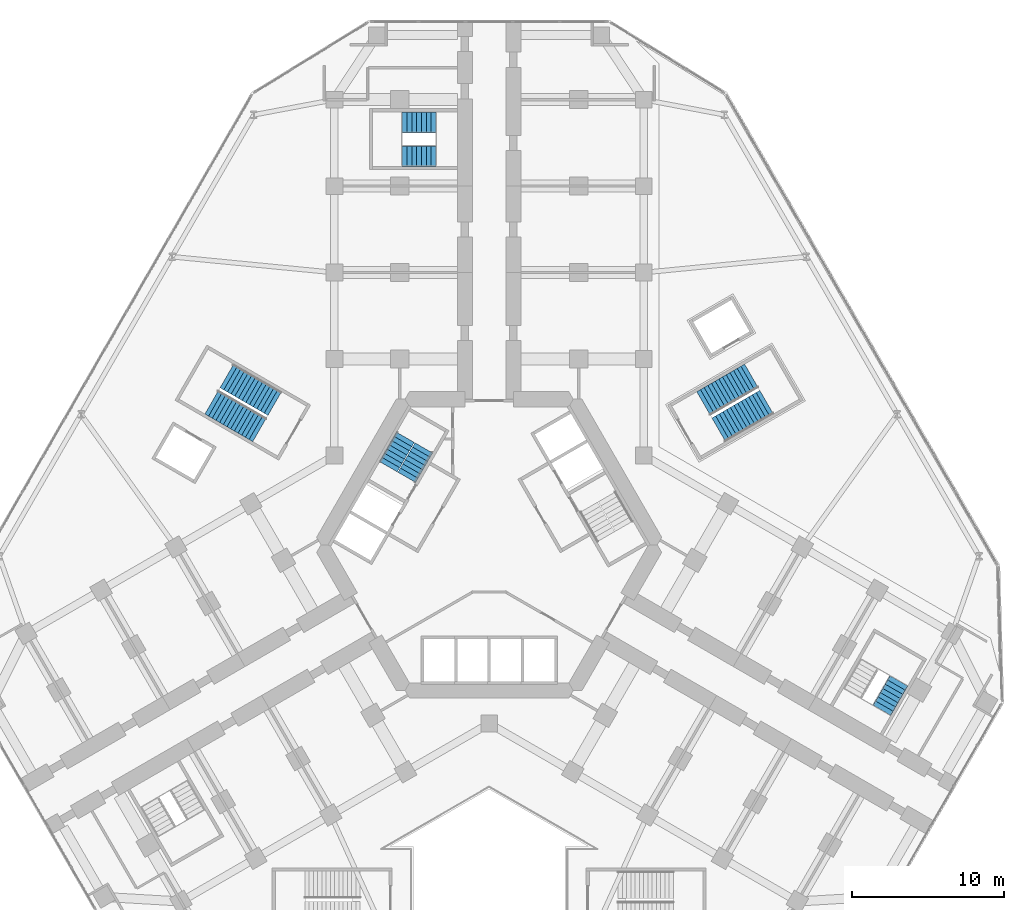
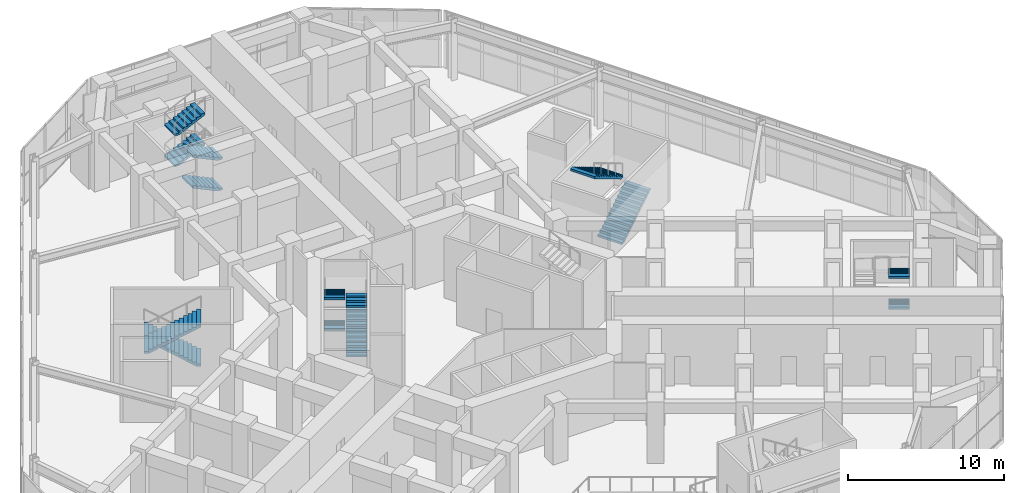
# One storey, part 19 of 21: 14 stair flights, 5 elements without a shape of their own.
"""IFC4 building model written with IfcOpenShell, lengths in metres."""

import ifcopenshell
import ifcopenshell.guid

model = None  # the IFC model being written
_history = None  # IfcOwnerHistory: only IFC2X3 demands one
_inside = {}  # id of a spatial element -> (the spatial element, [elements in it])
_under = {}  # id of a project, library or spatial element -> (it, [spatial elements below it])
_declared = {}  # id of a project -> (the project, [libraries it declares])
_typed = {}  # id of a type object -> (the type object, [elements of that type])
_made_of = {}  # id of a material, layer set ... -> (it, [elements and type objects made of it])


def new_model(schema):
    """Start an empty IFC model of exactly this schema.

    Asked for "IFC4X3", IfcOpenShell would pick the latest addendum, in which some entities
    have other attributes; the version numbers below select the first issue.
    IFC2X3 requires an IfcOwnerHistory on every rooted entity: one is made here for all.
    """
    global model, _history
    if schema == "IFC4X3":
        model = ifcopenshell.file(schema_version=(4, 3, 0, 0))
    else:
        model = ifcopenshell.file(schema=schema)
    _inside.clear()
    _under.clear()
    _declared.clear()
    _typed.clear()
    _made_of.clear()
    _history = None
    if model.schema == "IFC2X3":
        org = make("IfcOrganization", Name="unknown")
        user = make(
            "IfcPersonAndOrganization",
            ThePerson=make("IfcPerson", FamilyName="unknown"),
            TheOrganization=org,
        )
        app = make(
            "IfcApplication",
            ApplicationDeveloper=org,
            Version="unknown",
            ApplicationFullName="unknown",
            ApplicationIdentifier="unknown",
        )
        _history = make(
            "IfcOwnerHistory",
            OwningUser=user,
            OwningApplication=app,
            ChangeAction="ADDED",
            CreationDate=0,
        )
    return model


def make(cls, **values):
    """One entity of the class cls with the attributes given. An attribute that is None is left unset."""
    return model.create_entity(
        cls, **{name: value for name, value in values.items() if value is not None}
    )


def rooted(cls, **values):
    """An entity with a GlobalId (a new one), such as an element, a storey or a relation."""
    return make(cls, GlobalId=ifcopenshell.guid.new(), OwnerHistory=_history, **values)


def si_unit(unit_type, name, prefix=None):
    """IfcSIUnit, for example si_unit("LENGTHUNIT", "METRE", prefix="MILLI")."""
    return make("IfcSIUnit", UnitType=unit_type, Prefix=prefix, Name=name)


def assignment(units):
    """IfcUnitAssignment: the units of a project."""
    return None if units is None else make("IfcUnitAssignment", Units=units)


def point(xyz):
    """IfcCartesianPoint."""
    return None if xyz is None else make("IfcCartesianPoint", Coordinates=xyz)


def direction(xyz):
    """IfcDirection."""
    return None if xyz is None else make("IfcDirection", DirectionRatios=xyz)


def frame(location, z_axis=None, x_axis=None):
    """IfcAxis2Placement3D, a coordinate frame: its origin and axes. An axis left out is left unset."""
    return make(
        "IfcAxis2Placement3D",
        Location=point(location),
        Axis=direction(z_axis),
        RefDirection=direction(x_axis),
    )


def origin():
    """The frame at (0, 0, 0) with its axes left unset."""
    return frame((0.0, 0.0, 0.0))


def place(relative_to, where):
    """IfcLocalPlacement: puts the frame where relative to a parent placement (None: the world)."""
    return make(
        "IfcLocalPlacement", PlacementRelTo=relative_to, RelativePlacement=where
    )


def context(
    kind, dimensions, precision=None, world=None, true_north=None, identifier=None
):
    """IfcGeometricRepresentationContext, for example the 3D "Model" context."""
    return make(
        "IfcGeometricRepresentationContext",
        ContextIdentifier=identifier,
        ContextType=kind,
        CoordinateSpaceDimension=dimensions,
        Precision=precision,
        WorldCoordinateSystem=world,
        TrueNorth=true_north,
    )


def subcontext(parent, identifier, kind, view, scale=None):
    """IfcGeometricRepresentationSubContext, for example "Body" below "Model"."""
    return make(
        "IfcGeometricRepresentationSubContext",
        ContextIdentifier=identifier,
        ContextType=kind,
        ParentContext=parent,
        TargetScale=scale,
        TargetView=view,
    )


def project(units=None, contexts=None):
    """IfcProject with its units and contexts."""
    return rooted(
        "IfcProject",
        Name="project",
        RepresentationContexts=contexts,
        UnitsInContext=assignment(units),
    )


def spatial(cls, under=None, at=None, **own):
    """A site, building, storey or space (cls), placed at a placement, below another one or the project."""
    s = rooted(cls, ObjectPlacement=at, **own)
    if under is not None:
        _under.setdefault(under.id(), (under, []))[1].append(s)
    return s


def polyline(points):
    """IfcPolyline through the points."""
    return make("IfcPolyline", Points=[point(p) for p in points])


def outline(outer, holes=None, kind="AREA"):
    """IfcArbitraryClosedProfileDef: a profile drawn as a closed curve; with holes, ...WithVoids."""
    if holes is None:
        return make("IfcArbitraryClosedProfileDef", ProfileType=kind, OuterCurve=outer)
    return make(
        "IfcArbitraryProfileDefWithVoids",
        ProfileType=kind,
        OuterCurve=outer,
        InnerCurves=holes,
    )


def extrude(swept, where, along, depth):
    """IfcExtrudedAreaSolid: the profile swept, set in the frame where, extruded along a direction by depth."""
    return make(
        "IfcExtrudedAreaSolid",
        SweptArea=swept,
        Position=where,
        ExtrudedDirection=direction(along),
        Depth=depth,
    )


def shape(context_of_items, identifier, shape_type, items):
    """IfcShapeRepresentation: the items that make up one representation, for example the "Body"."""
    return make(
        "IfcShapeRepresentation",
        ContextOfItems=context_of_items,
        RepresentationIdentifier=identifier,
        RepresentationType=shape_type,
        Items=items,
    )


def material(Name=None, Category=None):
    """IfcMaterial."""
    return make("IfcMaterial", Name=Name, Category=Category)


def made_of(thing, what):
    """Note that an element or type object is made of a material, layer set ...; save() writes the relation."""
    if what is not None:
        _made_of.setdefault(what.id(), (what, []))[1].append(thing)
    return thing


def type_object(cls, material=None, **own):
    """A type object (cls), such as IfcWallType, which elements share."""
    return made_of(rooted(cls, **own), material)


def element(
    cls,
    number,
    at=None,
    inside=None,
    cuts=None,
    type_object=None,
    material=None,
    context=None,
    identifier="Body",
    shape_type=None,
    held_by="IfcProductDefinitionShape",
    body=None,
    shapes=None,
    **own,
):
    """One element of the class cls, such as IfcWall. Its Tag is "e" and its number.

    at: its placement. inside: the storey or other place that contains it. cuts: it is an
    opening in that element (IfcRelVoidsElement). A single representation is given by context,
    identifier, shape_type and body (its items); several are given by shapes. held_by: the class
    of the entity that holds the representations. save() writes the other relations.
    """
    e = rooted(cls, Tag="e%d" % number, ObjectPlacement=at, **own)
    if body is not None:
        shapes = [shape(context, identifier, shape_type, body)]
    if shapes is not None:
        e.Representation = make(held_by, Representations=shapes)
    if inside is not None:
        _inside.setdefault(inside.id(), (inside, []))[1].append(e)
    if cuts is not None:
        rooted(
            "IfcRelVoidsElement", RelatingBuildingElement=cuts, RelatedOpeningElement=e
        )
    if type_object is not None:
        _typed.setdefault(type_object.id(), (type_object, []))[1].append(e)
    return made_of(e, material)


def aggregate(whole, parts):
    """IfcRelAggregates: a whole, such as a stair, and the parts it consists of."""
    return rooted("IfcRelAggregates", RelatingObject=whole, RelatedObjects=parts)


def save(model, path):
    """Write the relations noted so far, then the file.

    IfcRelAggregates (storeys below a building ...), IfcRelContainedInSpatialStructure (elements
    in a storey), IfcRelDefinesByType, IfcRelAssociatesMaterial and IfcRelDeclares: one each for
    every whole, place, type object, material and project.
    """
    for whole, parts in _under.values():
        aggregate(whole, parts)
    for where, things in _inside.values():
        rooted(
            "IfcRelContainedInSpatialStructure",
            RelatedElements=things,
            RelatingStructure=where,
        )
    for kind, things in _typed.values():
        rooted("IfcRelDefinesByType", RelatedObjects=things, RelatingType=kind)
    for what, things in _made_of.values():
        rooted("IfcRelAssociatesMaterial", RelatedObjects=things, RelatingMaterial=what)
    for by, libraries in _declared.values():
        rooted("IfcRelDeclares", RelatingContext=by, RelatedDefinitions=libraries)
    model.write(path)


model = new_model("IFC4")

# Units and contexts
model_context = context("Model", 3, precision=1e-05, world=origin(), true_north=direction((0.0, 1.0)))
body_context = subcontext(model_context, "Body", "Model", "MODEL_VIEW")
ifc_project = project(units=[si_unit("LENGTHUNIT", "METRE"), si_unit("AREAUNIT", "SQUARE_METRE"), si_unit("VOLUMEUNIT", "CUBIC_METRE"), si_unit("PLANEANGLEUNIT", "RADIAN"), si_unit("MASSUNIT", "GRAM", prefix="KILO")], contexts=[model_context])

# Site, building, storey
site_placement = place(None, origin())
site = spatial("IfcSite", under=ifc_project, at=site_placement, CompositionType="ELEMENT")
building_placement = place(site_placement, origin())
building = spatial("IfcBuilding", under=site, at=building_placement, Name="Kosmar Iwan School Tower", CompositionType="ELEMENT")
storey_placement = place(building_placement, frame((0.0, 0.0, 6.0)))
storey = spatial("IfcBuildingStorey", under=building, at=storey_placement, Name="L01", CompositionType="ELEMENT", Elevation=6.0)

# Stair, stair flights
ifc_material_1 = material(Name="Concrete C35/45", Category="concrete")
stair_type_1 = type_object("IfcStairType", Name="Escape stair 3600", PredefinedType="HALF_TURN_STAIR", material=ifc_material_1)
stair_1_placement = place(storey_placement, origin())
stair_1 = element("IfcStair", 1, at=stair_1_placement, inside=storey, type_object=stair_type_1, Name="Stair WS1 L01", PredefinedType="HALF_TURN_STAIR")
ifc_material_2 = material(Name="Concrete C35/45", Category="concrete")
stair_flight_type_1 = type_object("IfcStairFlightType", Name="Escape stair flight 1350", PredefinedType="STRAIGHT", material=ifc_material_2)
stair_flight_1_placement = place(storey_placement, frame((-3.5, 25.625, 0.0), z_axis=(0.0, 0.0, 1.0), x_axis=(-1.0, 0.0, 0.0)))
stair_flight_1 = element("IfcStairFlight", 2, at=stair_flight_1_placement, type_object=stair_flight_type_1, Name="WS1 flight 1", NumberOfRisers=8, NumberOfTreads=7, PredefinedType="STRAIGHT", RiserHeight=0.15, TreadLength=0.32, context=body_context, shape_type="SweptSolid", body=[
    extrude(outline(polyline([(0.0, 0.0), (0.0, 0.14990234375), (0.320068359375, 0.14990234375), (0.320068359375, 0.300048828125), (0.639892578125, 0.300048828125), (0.639892578125, 0.449951171875), (0.9599609375, 0.449951171875), (0.9599609375, 0.60009765625), (1.280029296875, 0.60009765625), (1.280029296875, 0.75), (1.60009765625, 0.75), (1.60009765625, 0.89990234375), (1.919921875, 0.89990234375), (1.919921875, 1.050048828125), (2.239990234375, 1.050048828125), (2.239990234375, 1.199951171875), (2.239990234375, 0.884521484375), (0.353271484375, 0.0), (0.0, 0.0)])), frame((0.0, 0.675048828125, 0.0), z_axis=(0.0, -1.0, 0.0), x_axis=(1.0, 0.0, 0.0)), (0.0, 0.0, 1.0), 1.35009765625),
])
stair_flight_2_placement = place(storey_placement, frame((-5.739990234375, 27.875, 1.199951171875), z_axis=(0.0, 0.0, 1.0), x_axis=(1.0, 0.0, 0.0)))
stair_flight_2 = element("IfcStairFlight", 3, at=stair_flight_2_placement, type_object=stair_flight_type_1, Name="WS1 flight 2", NumberOfRisers=8, NumberOfTreads=7, PredefinedType="STRAIGHT", RiserHeight=0.15, TreadLength=0.32, context=body_context, shape_type="SweptSolid", body=[
    extrude(outline(polyline([(0.0, 0.0), (0.0, 0.14990234375), (0.320068359375, 0.14990234375), (0.320068359375, 0.300048828125), (0.639892578125, 0.300048828125), (0.639892578125, 0.449951171875), (0.9599609375, 0.449951171875), (0.9599609375, 0.60009765625), (1.280029296875, 0.60009765625), (1.280029296875, 0.75), (1.60009765625, 0.75), (1.60009765625, 0.89990234375), (1.919921875, 0.89990234375), (1.919921875, 1.050048828125), (2.239990234375, 1.050048828125), (2.239990234375, 1.199951171875), (2.239990234375, 0.884521484375), (0.353271484375, 0.0), (0.0, 0.0)])), frame((0.0, 0.675048828125, 0.0), z_axis=(0.0, -1.0, 0.0), x_axis=(1.0, 0.0, 0.0)), (0.0, 0.0, 1.0), 1.35009765625),
])
stair_flight_3_placement = place(storey_placement, frame((-3.5, 25.625, 2.39990234375), z_axis=(0.0, 0.0, 1.0), x_axis=(-1.0, 0.0, 0.0)))
stair_flight_3 = element("IfcStairFlight", 4, at=stair_flight_3_placement, type_object=stair_flight_type_1, Name="WS1 flight 3", NumberOfRisers=8, NumberOfTreads=7, PredefinedType="STRAIGHT", RiserHeight=0.15, TreadLength=0.32, context=body_context, shape_type="SweptSolid", body=[
    extrude(outline(polyline([(0.0, 0.0), (0.0, 0.14990234375), (0.320068359375, 0.14990234375), (0.320068359375, 0.300048828125), (0.639892578125, 0.300048828125), (0.639892578125, 0.449951171875), (0.9599609375, 0.449951171875), (0.9599609375, 0.60009765625), (1.280029296875, 0.60009765625), (1.280029296875, 0.75), (1.60009765625, 0.75), (1.60009765625, 0.89990234375), (1.919921875, 0.89990234375), (1.919921875, 1.050048828125), (2.239990234375, 1.050048828125), (2.239990234375, 1.199951171875), (2.239990234375, 0.884521484375), (0.353271484375, 0.0), (0.0, 0.0)])), frame((0.0, 0.675048828125, 0.0), z_axis=(0.0, -1.0, 0.0), x_axis=(1.0, 0.0, 0.0)), (0.0, 0.0, 1.0), 1.35009765625),
])
stair_flight_4_placement = place(storey_placement, frame((-5.739990234375, 27.875, 3.60009765625), z_axis=(0.0, 0.0, 1.0), x_axis=(1.0, 0.0, 0.0)))
stair_flight_4 = element("IfcStairFlight", 5, at=stair_flight_4_placement, type_object=stair_flight_type_1, Name="WS1 flight 4", NumberOfRisers=8, NumberOfTreads=7, PredefinedType="STRAIGHT", RiserHeight=0.15, TreadLength=0.32, context=body_context, shape_type="SweptSolid", body=[
    extrude(outline(polyline([(0.0, 0.0), (0.0, 0.14990234375), (0.320068359375, 0.14990234375), (0.320068359375, 0.300048828125), (0.639892578125, 0.300048828125), (0.639892578125, 0.449951171875), (0.9599609375, 0.449951171875), (0.9599609375, 0.60009765625), (1.280029296875, 0.60009765625), (1.280029296875, 0.75), (1.60009765625, 0.75), (1.60009765625, 0.89990234375), (1.919921875, 0.89990234375), (1.919921875, 1.050048828125), (2.239990234375, 1.050048828125), (2.239990234375, 1.199951171875), (2.239990234375, 0.884521484375), (0.353271484375, 0.0), (0.0, 0.0)])), frame((0.0, 0.675048828125, 0.0), z_axis=(0.0, -1.0, 0.0), x_axis=(1.0, 0.0, 0.0)), (0.0, 0.0, 1.0), 1.35009765625),
])
aggregate(stair_1, [stair_flight_1, stair_flight_2, stair_flight_3, stair_flight_4])

stair_2_placement = place(storey_placement, origin())
stair_2 = element("IfcStair", 6, at=stair_2_placement, inside=storey, type_object=stair_type_1, Name="Stair WS3 L01", PredefinedType="HALF_TURN_STAIR")
stair_flight_5_placement = place(storey_placement, frame((27.010498046875, -8.966552734375, 1.199951171875), z_axis=(0.0, 0.0, 1.0), x_axis=(-0.5, -0.866025403784, 0.0)))
stair_flight_5 = element("IfcStairFlight", 7, at=stair_flight_5_placement, type_object=stair_flight_type_1, Name="WS3 flight 2", NumberOfRisers=8, NumberOfTreads=7, PredefinedType="STRAIGHT", RiserHeight=0.15, TreadLength=0.32, context=body_context, shape_type="SweptSolid", body=[
    extrude(outline(polyline([(0.0, 0.0), (0.0, 0.14990234375), (0.320068359375, 0.14990234375), (0.320068359375, 0.300048828125), (0.639892578125, 0.300048828125), (0.639892578125, 0.449951171875), (0.9599609375, 0.449951171875), (0.9599609375, 0.60009765625), (1.280029296875, 0.60009765625), (1.280029296875, 0.75), (1.60009765625, 0.75), (1.60009765625, 0.89990234375), (1.919921875, 0.89990234375), (1.919921875, 1.050048828125), (2.239990234375, 1.050048828125), (2.239990234375, 1.199951171875), (2.239990234375, 0.884521484375), (0.353271484375, 0.0), (0.0, 0.0)])), frame((0.0, 0.675048828125, 0.0), z_axis=(0.0, -1.0, 0.0), x_axis=(1.0, 0.0, 0.0)), (0.0, 0.0, 1.0), 1.35009765625),
])
stair_flight_6_placement = place(storey_placement, frame((27.010498046875, -8.966552734375, 3.60009765625), z_axis=(0.0, 0.0, 1.0), x_axis=(-0.5, -0.866025403784, 0.0)))
stair_flight_6 = element("IfcStairFlight", 8, at=stair_flight_6_placement, type_object=stair_flight_type_1, Name="WS3 flight 4", NumberOfRisers=8, NumberOfTreads=7, PredefinedType="STRAIGHT", RiserHeight=0.15, TreadLength=0.32, context=body_context, shape_type="SweptSolid", body=[
    extrude(outline(polyline([(0.0, 0.0), (0.0, 0.14990234375), (0.320068359375, 0.14990234375), (0.320068359375, 0.300048828125), (0.639892578125, 0.300048828125), (0.639892578125, 0.449951171875), (0.9599609375, 0.449951171875), (0.9599609375, 0.60009765625), (1.280029296875, 0.60009765625), (1.280029296875, 0.75), (1.60009765625, 0.75), (1.60009765625, 0.89990234375), (1.919921875, 0.89990234375), (1.919921875, 1.050048828125), (2.239990234375, 1.050048828125), (2.239990234375, 1.199951171875), (2.239990234375, 0.884521484375), (0.353271484375, 0.0), (0.0, 0.0)])), frame((0.0, 0.675048828125, 0.0), z_axis=(0.0, -1.0, 0.0), x_axis=(1.0, 0.0, 0.0)), (0.0, 0.0, 1.0), 1.35009765625),
])
aggregate(stair_2, [stair_flight_5, stair_flight_6])

ifc_material_3 = material(Name="Concrete C35/45", Category="concrete")
stair_type_2 = type_object("IfcStairType", Name="School stair 3800", PredefinedType="HALF_TURN_STAIR", material=ifc_material_3)
stair_3_placement = place(storey_placement, origin())
stair_3 = element("IfcStair", 9, at=stair_3_placement, inside=storey, type_object=stair_type_2, Name="School stair SS3 L01", PredefinedType="HALF_TURN_STAIR")
ifc_material_4 = material(Name="Concrete C35/45", Category="concrete")
stair_flight_type_2 = type_object("IfcStairFlightType", Name="School stair flight 1800", PredefinedType="STRAIGHT", material=ifc_material_4)
stair_flight_7_placement = place(storey_placement, frame((15.1357421875, 7.583984375, 0.0), z_axis=(0.0, 0.0, 1.0), x_axis=(0.866025403784, 0.5, 0.0)))
stair_flight_7 = element("IfcStairFlight", 10, at=stair_flight_7_placement, type_object=stair_flight_type_2, Name="SS3 flight 1", NumberOfRisers=14, NumberOfTreads=13, PredefinedType="STRAIGHT", RiserHeight=0.171428571, TreadLength=0.28, context=body_context, shape_type="SweptSolid", body=[
    extrude(outline(polyline([(0.0, 0.0), (0.0, 0.17138671875), (0.280029296875, 0.17138671875), (0.280029296875, 0.3427734375), (0.56005859375, 0.3427734375), (0.56005859375, 0.514404296875), (0.840087890625, 0.514404296875), (0.840087890625, 0.685791015625), (1.1201171875, 0.685791015625), (1.1201171875, 0.857177734375), (1.39990234375, 0.857177734375), (1.39990234375, 1.028564453125), (1.679931640625, 1.028564453125), (1.679931640625, 1.199951171875), (1.9599609375, 1.199951171875), (1.9599609375, 1.371337890625), (2.239990234375, 1.371337890625), (2.239990234375, 1.54296875), (2.52001953125, 1.54296875), (2.52001953125, 1.71435546875), (2.800048828125, 1.71435546875), (2.800048828125, 1.8857421875), (3.080078125, 1.8857421875), (3.080078125, 2.05712890625), (3.360107421875, 2.05712890625), (3.360107421875, 2.228515625), (3.639892578125, 2.228515625), (3.639892578125, 2.39990234375), (3.639892578125, 2.052734375), (0.287109375, 0.0), (0.0, 0.0)])), frame((0.0, 0.89990234375, 0.0), z_axis=(0.0, -1.0, 0.0), x_axis=(1.0, 0.0, 0.0)), (0.0, 0.0, 1.0), 1.800048828125),
])
stair_flight_8_placement = place(storey_placement, frame((17.2880859375, 11.135986328125, 2.39990234375), z_axis=(0.0, 0.0, 1.0), x_axis=(-0.866025403784, -0.5, 0.0)))
stair_flight_8 = element("IfcStairFlight", 11, at=stair_flight_8_placement, type_object=stair_flight_type_2, Name="SS3 flight 2", NumberOfRisers=14, NumberOfTreads=13, PredefinedType="STRAIGHT", RiserHeight=0.171428571, TreadLength=0.28, context=body_context, shape_type="SweptSolid", body=[
    extrude(outline(polyline([(0.0, 0.0), (0.0, 0.17138671875), (0.280029296875, 0.17138671875), (0.280029296875, 0.3427734375), (0.56005859375, 0.3427734375), (0.56005859375, 0.514404296875), (0.840087890625, 0.514404296875), (0.840087890625, 0.685791015625), (1.1201171875, 0.685791015625), (1.1201171875, 0.857177734375), (1.39990234375, 0.857177734375), (1.39990234375, 1.028564453125), (1.679931640625, 1.028564453125), (1.679931640625, 1.199951171875), (1.9599609375, 1.199951171875), (1.9599609375, 1.371337890625), (2.239990234375, 1.371337890625), (2.239990234375, 1.54296875), (2.52001953125, 1.54296875), (2.52001953125, 1.71435546875), (2.800048828125, 1.71435546875), (2.800048828125, 1.8857421875), (3.080078125, 1.8857421875), (3.080078125, 2.05712890625), (3.360107421875, 2.05712890625), (3.360107421875, 2.228515625), (3.639892578125, 2.228515625), (3.639892578125, 2.39990234375), (3.639892578125, 2.052734375), (0.287109375, 0.0), (0.0, 0.0)])), frame((0.0, 0.89990234375, 0.0), z_axis=(0.0, -1.0, 0.0), x_axis=(1.0, 0.0, 0.0)), (0.0, 0.0, 1.0), 1.800048828125),
])
aggregate(stair_3, [stair_flight_7, stair_flight_8])

stair_4_placement = place(storey_placement, origin())
stair_4 = element("IfcStair", 12, at=stair_4_placement, inside=storey, type_object=stair_type_2, Name="School stair SS4 L01", PredefinedType="HALF_TURN_STAIR")
stair_flight_9_placement = place(storey_placement, frame((-14.1357421875, 9.31591796875, 0.0), z_axis=(0.0, 0.0, 1.0), x_axis=(-0.866025403784, 0.5, 0.0)))
stair_flight_9 = element("IfcStairFlight", 13, at=stair_flight_9_placement, type_object=stair_flight_type_2, Name="SS4 flight 1", NumberOfRisers=14, NumberOfTreads=13, PredefinedType="STRAIGHT", RiserHeight=0.171428571, TreadLength=0.28, context=body_context, shape_type="SweptSolid", body=[
    extrude(outline(polyline([(0.0, 0.0), (0.0, 0.17138671875), (0.280029296875, 0.17138671875), (0.280029296875, 0.3427734375), (0.56005859375, 0.3427734375), (0.56005859375, 0.514404296875), (0.840087890625, 0.514404296875), (0.840087890625, 0.685791015625), (1.1201171875, 0.685791015625), (1.1201171875, 0.857177734375), (1.39990234375, 0.857177734375), (1.39990234375, 1.028564453125), (1.679931640625, 1.028564453125), (1.679931640625, 1.199951171875), (1.9599609375, 1.199951171875), (1.9599609375, 1.371337890625), (2.239990234375, 1.371337890625), (2.239990234375, 1.54296875), (2.52001953125, 1.54296875), (2.52001953125, 1.71435546875), (2.800048828125, 1.71435546875), (2.800048828125, 1.8857421875), (3.080078125, 1.8857421875), (3.080078125, 2.05712890625), (3.360107421875, 2.05712890625), (3.360107421875, 2.228515625), (3.639892578125, 2.228515625), (3.639892578125, 2.39990234375), (3.639892578125, 2.052734375), (0.287109375, 0.0), (0.0, 0.0)])), frame((0.0, 0.89990234375, 0.0), z_axis=(0.0, -1.0, 0.0), x_axis=(1.0, 0.0, 0.0)), (0.0, 0.0, 1.0), 1.800048828125),
])
stair_flight_10_placement = place(storey_placement, frame((-18.2880859375, 9.404052734375, 2.39990234375), z_axis=(0.0, 0.0, 1.0), x_axis=(0.866025403784, -0.5, 0.0)))
stair_flight_10 = element("IfcStairFlight", 14, at=stair_flight_10_placement, type_object=stair_flight_type_2, Name="SS4 flight 2", NumberOfRisers=14, NumberOfTreads=13, PredefinedType="STRAIGHT", RiserHeight=0.171428571, TreadLength=0.28, context=body_context, shape_type="SweptSolid", body=[
    extrude(outline(polyline([(0.0, 0.0), (0.0, 0.17138671875), (0.280029296875, 0.17138671875), (0.280029296875, 0.3427734375), (0.56005859375, 0.3427734375), (0.56005859375, 0.514404296875), (0.840087890625, 0.514404296875), (0.840087890625, 0.685791015625), (1.1201171875, 0.685791015625), (1.1201171875, 0.857177734375), (1.39990234375, 0.857177734375), (1.39990234375, 1.028564453125), (1.679931640625, 1.028564453125), (1.679931640625, 1.199951171875), (1.9599609375, 1.199951171875), (1.9599609375, 1.371337890625), (2.239990234375, 1.371337890625), (2.239990234375, 1.54296875), (2.52001953125, 1.54296875), (2.52001953125, 1.71435546875), (2.800048828125, 1.71435546875), (2.800048828125, 1.8857421875), (3.080078125, 1.8857421875), (3.080078125, 2.05712890625), (3.360107421875, 2.05712890625), (3.360107421875, 2.228515625), (3.639892578125, 2.228515625), (3.639892578125, 2.39990234375), (3.639892578125, 2.052734375), (0.287109375, 0.0), (0.0, 0.0)])), frame((0.0, 0.89990234375, 0.0), z_axis=(0.0, -1.0, 0.0), x_axis=(1.0, 0.0, 0.0)), (0.0, 0.0, 1.0), 1.800048828125),
])
aggregate(stair_4, [stair_flight_9, stair_flight_10])

ifc_material_5 = material(Name="Concrete C35/45", Category="concrete")
stair_type_3 = type_object("IfcStairType", Name="Core stair 2750", PredefinedType="HALF_TURN_STAIR", material=ifc_material_5)
stair_5_placement = place(storey_placement, origin())
stair_5 = element("IfcStair", 15, at=stair_5_placement, inside=storey, type_object=stair_type_3, Name="Stair ST2 L01", PredefinedType="HALF_TURN_STAIR")
ifc_material_6 = material(Name="Concrete C35/45", Category="concrete")
stair_flight_type_3 = type_object("IfcStairFlightType", Name="Stair flight 1350", PredefinedType="STRAIGHT", material=ifc_material_6)
stair_flight_11_placement = place(storey_placement, frame((-5.42724609375, 4.44970703125, 0.0), z_axis=(0.0, 0.0, 1.0), x_axis=(0.5, 0.866025403784, 0.0)))
stair_flight_11 = element("IfcStairFlight", 16, at=stair_flight_11_placement, type_object=stair_flight_type_3, Name="ST2 flight 1", NumberOfRisers=8, NumberOfTreads=7, PredefinedType="STRAIGHT", RiserHeight=0.15, TreadLength=0.32, context=body_context, shape_type="SweptSolid", body=[
    extrude(outline(polyline([(0.0, 0.0), (0.0, 0.14990234375), (0.320068359375, 0.14990234375), (0.320068359375, 0.300048828125), (0.639892578125, 0.300048828125), (0.639892578125, 0.449951171875), (0.9599609375, 0.449951171875), (0.9599609375, 0.60009765625), (1.280029296875, 0.60009765625), (1.280029296875, 0.75), (1.60009765625, 0.75), (1.60009765625, 0.89990234375), (1.919921875, 0.89990234375), (1.919921875, 1.050048828125), (2.239990234375, 1.050048828125), (2.239990234375, 1.199951171875), (2.239990234375, 0.884521484375), (0.353271484375, 0.0), (0.0, 0.0)])), frame((0.0, 0.675048828125, 0.0), z_axis=(0.0, -1.0, 0.0), x_axis=(1.0, 0.0, 0.0)), (0.0, 0.0, 1.0), 1.35009765625),
])
stair_flight_12_placement = place(storey_placement, frame((-5.519775390625, 7.089599609375, 1.199951171875), z_axis=(0.0, 0.0, 1.0), x_axis=(-0.5, -0.866025403784, 0.0)))
stair_flight_12 = element("IfcStairFlight", 17, at=stair_flight_12_placement, type_object=stair_flight_type_3, Name="ST2 flight 2", NumberOfRisers=8, NumberOfTreads=7, PredefinedType="STRAIGHT", RiserHeight=0.15, TreadLength=0.32, context=body_context, shape_type="SweptSolid", body=[
    extrude(outline(polyline([(0.0, 0.0), (0.0, 0.14990234375), (0.320068359375, 0.14990234375), (0.320068359375, 0.300048828125), (0.639892578125, 0.300048828125), (0.639892578125, 0.449951171875), (0.9599609375, 0.449951171875), (0.9599609375, 0.60009765625), (1.280029296875, 0.60009765625), (1.280029296875, 0.75), (1.60009765625, 0.75), (1.60009765625, 0.89990234375), (1.919921875, 0.89990234375), (1.919921875, 1.050048828125), (2.239990234375, 1.050048828125), (2.239990234375, 1.199951171875), (2.239990234375, 0.884521484375), (0.353271484375, 0.0), (0.0, 0.0)])), frame((0.0, 0.675048828125, 0.0), z_axis=(0.0, -1.0, 0.0), x_axis=(1.0, 0.0, 0.0)), (0.0, 0.0, 1.0), 1.35009765625),
])
stair_flight_13_placement = place(storey_placement, frame((-5.42724609375, 4.44970703125, 2.39990234375), z_axis=(0.0, 0.0, 1.0), x_axis=(0.5, 0.866025403784, 0.0)))
stair_flight_13 = element("IfcStairFlight", 18, at=stair_flight_13_placement, type_object=stair_flight_type_3, Name="ST2 flight 3", NumberOfRisers=8, NumberOfTreads=7, PredefinedType="STRAIGHT", RiserHeight=0.15, TreadLength=0.32, context=body_context, shape_type="SweptSolid", body=[
    extrude(outline(polyline([(0.0, 0.0), (0.0, 0.14990234375), (0.320068359375, 0.14990234375), (0.320068359375, 0.300048828125), (0.639892578125, 0.300048828125), (0.639892578125, 0.449951171875), (0.9599609375, 0.449951171875), (0.9599609375, 0.60009765625), (1.280029296875, 0.60009765625), (1.280029296875, 0.75), (1.60009765625, 0.75), (1.60009765625, 0.89990234375), (1.919921875, 0.89990234375), (1.919921875, 1.050048828125), (2.239990234375, 1.050048828125), (2.239990234375, 1.199951171875), (2.239990234375, 0.884521484375), (0.353271484375, 0.0), (0.0, 0.0)])), frame((0.0, 0.675048828125, 0.0), z_axis=(0.0, -1.0, 0.0), x_axis=(1.0, 0.0, 0.0)), (0.0, 0.0, 1.0), 1.35009765625),
])
stair_flight_14_placement = place(storey_placement, frame((-5.519775390625, 7.089599609375, 3.60009765625), z_axis=(0.0, 0.0, 1.0), x_axis=(-0.5, -0.866025403784, 0.0)))
stair_flight_14 = element("IfcStairFlight", 19, at=stair_flight_14_placement, type_object=stair_flight_type_3, Name="ST2 flight 4", NumberOfRisers=8, NumberOfTreads=7, PredefinedType="STRAIGHT", RiserHeight=0.15, TreadLength=0.32, context=body_context, shape_type="SweptSolid", body=[
    extrude(outline(polyline([(0.0, 0.0), (0.0, 0.14990234375), (0.320068359375, 0.14990234375), (0.320068359375, 0.300048828125), (0.639892578125, 0.300048828125), (0.639892578125, 0.449951171875), (0.9599609375, 0.449951171875), (0.9599609375, 0.60009765625), (1.280029296875, 0.60009765625), (1.280029296875, 0.75), (1.60009765625, 0.75), (1.60009765625, 0.89990234375), (1.919921875, 0.89990234375), (1.919921875, 1.050048828125), (2.239990234375, 1.050048828125), (2.239990234375, 1.199951171875), (2.239990234375, 0.884521484375), (0.353271484375, 0.0), (0.0, 0.0)])), frame((0.0, 0.675048828125, 0.0), z_axis=(0.0, -1.0, 0.0), x_axis=(1.0, 0.0, 0.0)), (0.0, 0.0, 1.0), 1.35009765625),
])
aggregate(stair_5, [stair_flight_11, stair_flight_12, stair_flight_13, stair_flight_14])

save(model, "model.ifc")
